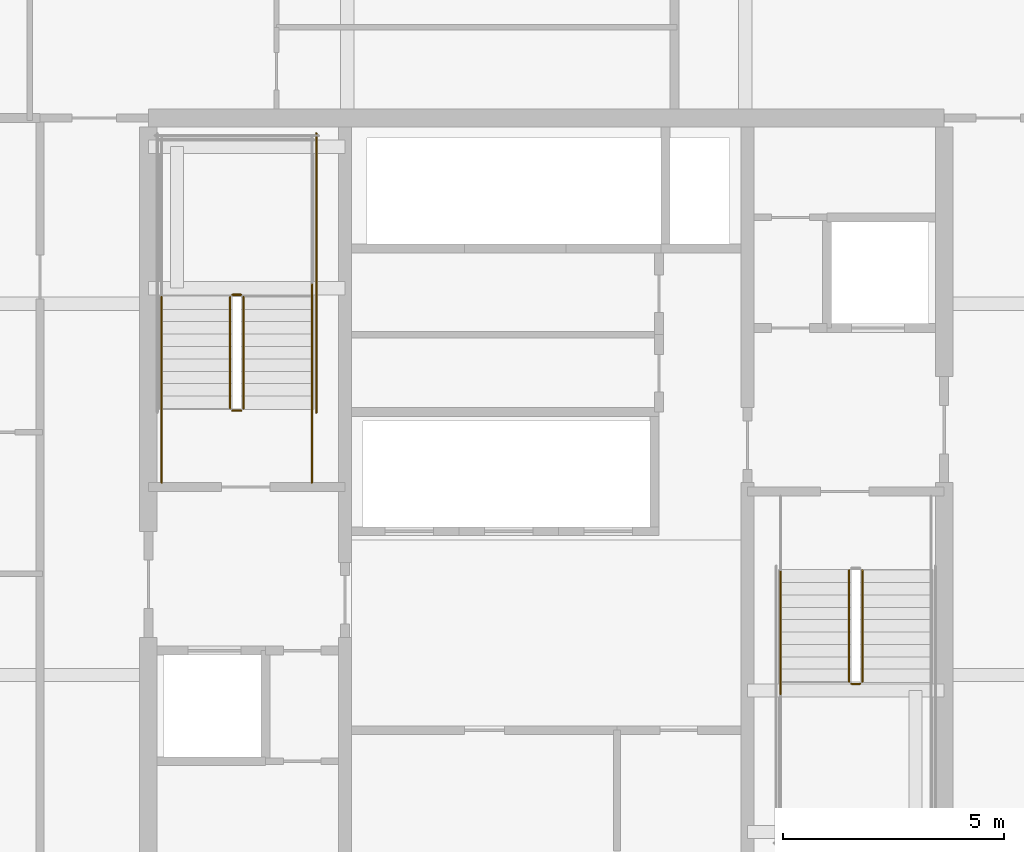
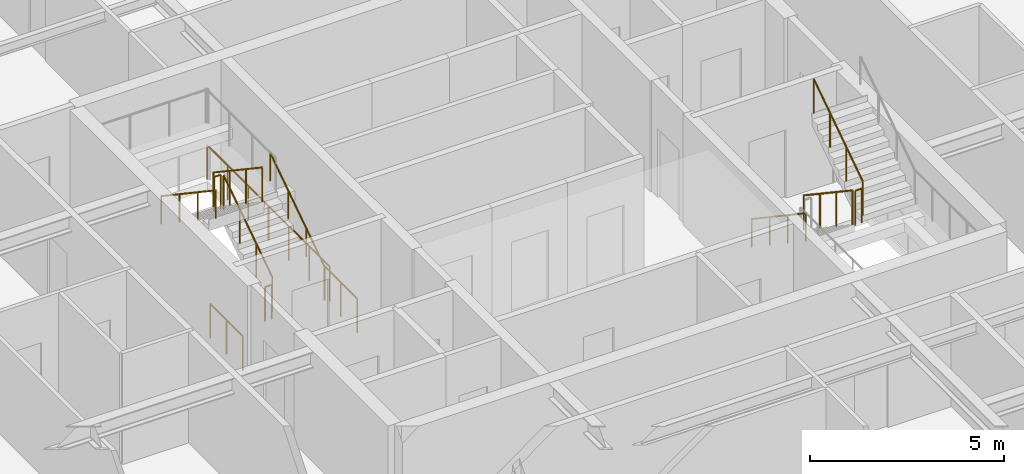
# One storey, part 32 of 35: 13 railings.
"""IFC4 building model written with IfcOpenShell, lengths in metres."""

from ifc_helpers import new_model, si_unit, direction, frame, origin, origin_2d, place, context, subcontext, project, spatial, circle, extrude, material, type_object, element, save


model = new_model("IFC4")

# Units and contexts
model_context = context("Model", 3, precision=1e-05, world=origin(), true_north=direction((0.0, 1.0)))
body_context = subcontext(model_context, "Body", "Model", "MODEL_VIEW")
ifc_project = project(units=[si_unit("LENGTHUNIT", "METRE"), si_unit("AREAUNIT", "SQUARE_METRE"), si_unit("VOLUMEUNIT", "CUBIC_METRE"), si_unit("PLANEANGLEUNIT", "RADIAN"), si_unit("MASSUNIT", "GRAM", prefix="KILO")], contexts=[model_context])

# Site, building, storey
site_placement = place(None, origin())
site = spatial("IfcSite", under=ifc_project, at=site_placement, CompositionType="ELEMENT")
building_placement = place(site_placement, origin())
building = spatial("IfcBuilding", under=site, at=building_placement, Name="Serunith Strait Residences", CompositionType="ELEMENT")
storey_placement = place(building_placement, frame((0.0, 0.0, 191.39990234375)))
storey = spatial("IfcBuildingStorey", under=building, at=storey_placement, Name="L48", CompositionType="ELEMENT", Elevation=191.39990234375)

# Railings
ifc_material = material(Name="Brushed stainless steel 316L", Category="steel")
railing_type_1 = type_object("IfcRailingType", Name="RLG-STAIR-GUARD", PredefinedType="BALUSTRADE", material=ifc_material)
railing_1_placement = place(storey_placement, frame((25.550048828125, 27.030029296875, 0.1875)))
element("IfcRailing", 1, at=railing_1_placement, inside=storey, type_object=railing_type_1, Name="L48 ST-1 stair guard 1", PredefinedType="BALUSTRADE", context=body_context, shape_type="SweptSolid", body=[
    extrude(circle(Radius=0.02392578125, at=origin_2d()), frame((0.0, 0.001708984375, 1.0771484375), z_axis=(0.0, 0.830909170722, 0.55640807867), x_axis=(-1.0, 0.0, 0.0)), (0.0, 0.0, 1.0), 3.02880859375),
    extrude(circle(Radius=0.02099609375, at=origin_2d()), origin(), (0.0, 0.0, 1.0), 1.050048828125),
    extrude(circle(Radius=0.02099609375, at=origin_2d()), frame((0.0, 0.840087890625, 0.5625)), (0.0, 0.0, 1.0), 1.050048828125),
    extrude(circle(Radius=0.02099609375, at=origin_2d()), frame((0.0, 1.679931640625, 1.125)), (0.0, 0.0, 1.0), 1.050048828125),
    extrude(circle(Radius=0.02099609375, at=origin_2d()), frame((0.0, 2.52001953125, 1.6875)), (0.0, 0.0, 1.0), 1.050048828125),
])
railing_2_placement = place(storey_placement, frame((25.5, 29.60009765625, 1.875)))
element("IfcRailing", 2, at=railing_2_placement, inside=storey, type_object=railing_type_1, Name="L48 ST-1 stair guard 2", PredefinedType="BALUSTRADE", context=body_context, shape_type="SweptSolid", body=[
    extrude(circle(Radius=0.02392578125, at=origin_2d()), frame((-0.001953125, 0.0, 1.076171875), z_axis=(-1.0, 0.0, 0.0), x_axis=(0.0, -1.0, 0.0)), (0.0, 0.0, 1.0), 0.196044921875),
    extrude(circle(Radius=0.02099609375, at=origin_2d()), origin(), (0.0, 0.0, 1.0), 1.050048828125),
    extrude(circle(Radius=0.02099609375, at=origin_2d()), frame((-0.199951171875, 0.0, 0.0)), (0.0, 0.0, 1.0), 1.050048828125),
])
railing_3_placement = place(storey_placement, frame((25.25, 29.550048828125, 2.0625)))
element("IfcRailing", 3, at=railing_3_placement, inside=storey, type_object=railing_type_1, Name="L48 ST-1 stair guard 6", PredefinedType="BALUSTRADE", context=body_context, shape_type="SweptSolid", body=[
    extrude(circle(Radius=0.02392578125, at=origin_2d()), frame((0.0, -0.001708984375, 1.0771484375), z_axis=(0.0, -0.830909170722, 0.55640807867), x_axis=(1.0, 0.0, 0.0)), (0.0, 0.0, 1.0), 3.02880859375),
    extrude(circle(Radius=0.02099609375, at=origin_2d()), origin(), (0.0, 0.0, 1.0), 1.050048828125),
    extrude(circle(Radius=0.02099609375, at=origin_2d()), frame((0.0, -0.840087890625, 0.5625)), (0.0, 0.0, 1.0), 1.050048828125),
    extrude(circle(Radius=0.02099609375, at=origin_2d()), frame((0.0, -1.679931640625, 1.125)), (0.0, 0.0, 1.0), 1.050048828125),
    extrude(circle(Radius=0.02099609375, at=origin_2d()), frame((0.0, -2.52001953125, 1.6875)), (0.0, 0.0, 1.0), 1.050048828125),
])
railing_4_placement = place(storey_placement, frame((25.5, 26.97998046875, 0.0)))
element("IfcRailing", 4, at=railing_4_placement, inside=storey, type_object=railing_type_1, Name="L48 ST-1 stair guard 7", PredefinedType="BALUSTRADE", context=body_context, shape_type="SweptSolid", body=[
    extrude(circle(Radius=0.02392578125, at=origin_2d()), frame((-0.001953125, 0.0, 1.076171875), z_axis=(-1.0, 0.0, 0.0), x_axis=(0.0, -1.0, 0.0)), (0.0, 0.0, 1.0), 0.196044921875),
    extrude(circle(Radius=0.02099609375, at=origin_2d()), origin(), (0.0, 0.0, 1.0), 1.050048828125),
    extrude(circle(Radius=0.02099609375, at=origin_2d()), frame((-0.199951171875, 0.0, 0.0)), (0.0, 0.0, 1.0), 1.050048828125),
])
for number, where, name in (
    (5, (27.10009765625, 25.35009765625, 0.0), "L48 ST-1 stair guard 8"),
    (6, (23.699951171875, 25.35009765625, 0.0), "L48 ST-1 stair guard 9"),
):
    element("IfcRailing", number, at=place(storey_placement, frame(where)), inside=storey, type_object=railing_type_1, Name=name, PredefinedType="BALUSTRADE", context=body_context, shape_type="SweptSolid", body=[
        extrude(circle(Radius=0.02392578125, at=origin_2d()), frame((0.0, 0.001953125, 1.076171875), z_axis=(0.0, 1.0, 0.0), x_axis=(-1.0, 0.0, 0.0)), (0.0, 0.0, 1.0), 1.676025390625),
        extrude(circle(Radius=0.02099609375, at=origin_2d()), origin(), (0.0, 0.0, 1.0), 1.050048828125),
        extrude(circle(Radius=0.02099609375, at=origin_2d()), frame((0.0, 0.83984375, 0.0)), (0.0, 0.0, 1.0), 1.050048828125),
        extrude(circle(Radius=0.02099609375, at=origin_2d()), frame((0.0, 1.679931640625, 0.0)), (0.0, 0.0, 1.0), 1.050048828125),
    ])
railing_5_placement = place(storey_placement, frame((27.199951171875, 26.929931640625, 0.0)))
element("IfcRailing", 7, at=railing_5_placement, inside=storey, type_object=railing_type_1, Name="L48 ST-1 stair guard 10", PredefinedType="BALUSTRADE", context=body_context, shape_type="SweptSolid", body=[
    extrude(circle(Radius=0.02392578125, at=origin_2d()), frame((0.0, 0.001953125, 1.076171875), z_axis=(0.0, 1.0, 0.0), x_axis=(-1.0, 0.0, 0.0)), (0.0, 0.0, 1.0), 6.316162109375),
    extrude(circle(Radius=0.02099609375, at=origin_2d()), origin(), (0.0, 0.0, 1.0), 1.050048828125),
    extrude(circle(Radius=0.02099609375, at=origin_2d()), frame((0.0, 1.05322265625, 0.0)), (0.0, 0.0, 1.0), 1.050048828125),
    extrude(circle(Radius=0.02099609375, at=origin_2d()), frame((0.0, 2.106689453125, 0.0)), (0.0, 0.0, 1.0), 1.050048828125),
    extrude(circle(Radius=0.02099609375, at=origin_2d()), frame((0.0, 3.16015625, 0.0)), (0.0, 0.0, 1.0), 1.050048828125),
    extrude(circle(Radius=0.02099609375, at=origin_2d()), frame((0.0, 4.21337890625, 0.0)), (0.0, 0.0, 1.0), 1.050048828125),
    extrude(circle(Radius=0.02099609375, at=origin_2d()), frame((0.0, 5.2666015625, 0.0)), (0.0, 0.0, 1.0), 1.050048828125),
    extrude(circle(Radius=0.02099609375, at=origin_2d()), frame((0.0, 6.320068359375, 0.0)), (0.0, 0.0, 1.0), 1.050048828125),
])
railing_6_placement = place(storey_placement, frame((39.25, 23.3701171875, 0.1875)))
element("IfcRailing", 8, at=railing_6_placement, inside=storey, type_object=railing_type_1, Name="L48 ST-2 stair guard 1", PredefinedType="BALUSTRADE", context=body_context, shape_type="SweptSolid", body=[
    extrude(circle(Radius=0.02392578125, at=origin_2d()), frame((0.0, -0.001708984375, 1.0771484375), z_axis=(0.0, -0.830909170722, 0.55640807867), x_axis=(1.0, 0.0, 0.0)), (0.0, 0.0, 1.0), 3.02880859375),
    extrude(circle(Radius=0.02099609375, at=origin_2d()), origin(), (0.0, 0.0, 1.0), 1.050048828125),
    extrude(circle(Radius=0.02099609375, at=origin_2d()), frame((0.0, -0.840087890625, 0.5625)), (0.0, 0.0, 1.0), 1.050048828125),
    extrude(circle(Radius=0.02099609375, at=origin_2d()), frame((0.0, -1.679931640625, 1.125)), (0.0, 0.0, 1.0), 1.050048828125),
    extrude(circle(Radius=0.02099609375, at=origin_2d()), frame((0.0, -2.52001953125, 1.6875)), (0.0, 0.0, 1.0), 1.050048828125),
])
railing_7_placement = place(storey_placement, frame((39.300048828125, 20.800048828125, 1.875)))
element("IfcRailing", 9, at=railing_7_placement, inside=storey, type_object=railing_type_1, Name="L48 ST-2 stair guard 2", PredefinedType="BALUSTRADE", context=body_context, shape_type="SweptSolid", body=[
    extrude(circle(Radius=0.02392578125, at=origin_2d()), frame((0.001953125, 0.0, 1.076171875), z_axis=(1.0, 0.0, 0.0), x_axis=(0.0, 1.0, 0.0)), (0.0, 0.0, 1.0), 0.196044921875),
    extrude(circle(Radius=0.02099609375, at=origin_2d()), origin(), (0.0, 0.0, 1.0), 1.050048828125),
    extrude(circle(Radius=0.02099609375, at=origin_2d()), frame((0.199951171875, 0.0, 0.0)), (0.0, 0.0, 1.0), 1.050048828125),
])
railing_8_placement = place(storey_placement, frame((39.550048828125, 20.85009765625, 2.0625)))
element("IfcRailing", 10, at=railing_8_placement, inside=storey, type_object=railing_type_1, Name="L48 ST-2 stair guard 6", PredefinedType="BALUSTRADE", context=body_context, shape_type="SweptSolid", body=[
    extrude(circle(Radius=0.02392578125, at=origin_2d()), frame((0.0, 0.001708984375, 1.0771484375), z_axis=(0.0, 0.830909170722, 0.55640807867), x_axis=(-1.0, 0.0, 0.0)), (0.0, 0.0, 1.0), 3.02880859375),
    extrude(circle(Radius=0.02099609375, at=origin_2d()), origin(), (0.0, 0.0, 1.0), 1.050048828125),
    extrude(circle(Radius=0.02099609375, at=origin_2d()), frame((0.0, 0.840087890625, 0.5625)), (0.0, 0.0, 1.0), 1.050048828125),
    extrude(circle(Radius=0.02099609375, at=origin_2d()), frame((0.0, 1.679931640625, 1.125)), (0.0, 0.0, 1.0), 1.050048828125),
    extrude(circle(Radius=0.02099609375, at=origin_2d()), frame((0.0, 2.52001953125, 1.6875)), (0.0, 0.0, 1.0), 1.050048828125),
])
railing_type_2 = type_object("IfcRailingType", Name="RLG-STAIR-HR", PredefinedType="HANDRAIL", material=ifc_material)
railing_9_placement = place(storey_placement, frame((27.10009765625, 27.030029296875, 0.1875)))
element("IfcRailing", 11, at=railing_9_placement, inside=storey, type_object=railing_type_2, Name="L48 ST-1 stair handrail 1", PredefinedType="HANDRAIL", context=body_context, shape_type="SweptSolid", body=[
    extrude(circle(Radius=0.02392578125, at=origin_2d()), frame((0.0, 0.001708984375, 0.876953125), z_axis=(0.0, 0.830208209119, 0.557453432594), x_axis=(-1.0, 0.0, 0.0)), (0.0, 0.0, 1.0), 3.36865234375),
    extrude(circle(Radius=0.02099609375, at=origin_2d()), origin(), (0.0, 0.0, 1.0), 0.849853515625),
    extrude(circle(Radius=0.02099609375, at=origin_2d()), frame((0.0, 0.933349609375, 0.626708984375)), (0.0, 0.0, 1.0), 0.849853515625),
    extrude(circle(Radius=0.02099609375, at=origin_2d()), frame((0.0, 1.86669921875, 1.25341796875)), (0.0, 0.0, 1.0), 0.849853515625),
    extrude(circle(Radius=0.02099609375, at=origin_2d()), frame((0.0, 2.800048828125, 1.880126953125)), (0.0, 0.0, 1.0), 0.849853515625),
])
for number, where, name in (
    (12, (23.699951171875, 29.550048828125, 2.0625), "L48 ST-1 stair handrail 2"),
    (13, (37.699951171875, 23.3701171875, 0.1875), "L48 ST-2 stair handrail 1"),
):
    element("IfcRailing", number, at=place(storey_placement, frame(where)), inside=storey, type_object=railing_type_2, Name=name, PredefinedType="HANDRAIL", context=body_context, shape_type="SweptSolid", body=[
        extrude(circle(Radius=0.02392578125, at=origin_2d()), frame((0.0, -0.001708984375, 0.876953125), z_axis=(0.0, -0.830208209119, 0.557453432594), x_axis=(1.0, 0.0, 0.0)), (0.0, 0.0, 1.0), 3.36865234375),
        extrude(circle(Radius=0.02099609375, at=origin_2d()), origin(), (0.0, 0.0, 1.0), 0.849853515625),
        extrude(circle(Radius=0.02099609375, at=origin_2d()), frame((0.0, -0.933349609375, 0.626708984375)), (0.0, 0.0, 1.0), 0.849853515625),
        extrude(circle(Radius=0.02099609375, at=origin_2d()), frame((0.0, -1.86669921875, 1.25341796875)), (0.0, 0.0, 1.0), 0.849853515625),
        extrude(circle(Radius=0.02099609375, at=origin_2d()), frame((0.0, -2.800048828125, 1.880126953125)), (0.0, 0.0, 1.0), 0.849853515625),
    ])

save(model, "model.ifc")
